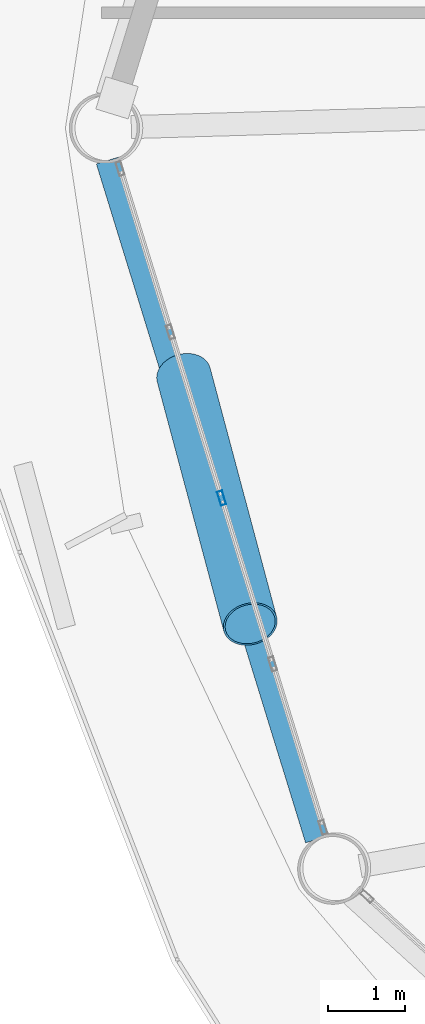
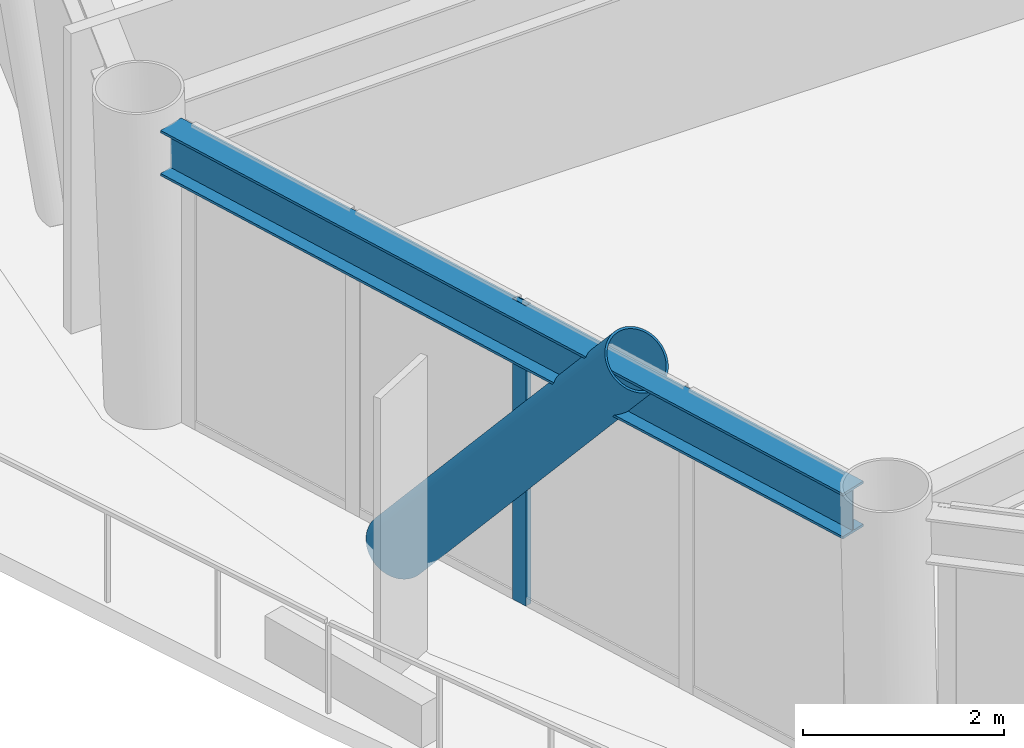
# One storey, part 3 of 25: 2 members, 1 beam, 1 element without a shape of its own.
"""IFC4 building model written with IfcOpenShell, lengths in metres."""

from ifc_helpers import new_model, si_unit, direction, frame, origin, origin_2d, place, context, subcontext, project, spatial, hollow_rectangle, hollow_circle, i_section, extrude, material, layer, layer_set, material_profile, profile_set, type_object, element, aggregate, save


model = new_model("IFC4")

# Units and contexts
model_context = context("Model", 3, precision=1e-05, world=origin(), true_north=direction((0.0, 1.0)))
body_context = subcontext(model_context, "Body", "Model", "MODEL_VIEW")
ifc_project = project(units=[si_unit("LENGTHUNIT", "METRE"), si_unit("AREAUNIT", "SQUARE_METRE"), si_unit("VOLUMEUNIT", "CUBIC_METRE"), si_unit("PLANEANGLEUNIT", "RADIAN"), si_unit("MASSUNIT", "GRAM", prefix="KILO")], contexts=[model_context])

# Site, building, storey
site_placement = place(None, origin())
site = spatial("IfcSite", under=ifc_project, at=site_placement, CompositionType="ELEMENT")
building_placement = place(site_placement, origin())
building = spatial("IfcBuilding", under=site, at=building_placement, Name="Varnakorn Sky Granary", CompositionType="ELEMENT")
storey_placement = place(building_placement, frame((0.0, 0.0, 54.89990234375)))
storey = spatial("IfcBuildingStorey", under=building, at=storey_placement, Name="L13", CompositionType="ELEMENT", Elevation=54.89990234375)

# Beam
ifc_material_1 = material(Name="Steel S355JR", Category="steel")
ifc_material_profile_1 = material_profile(ifc_material_1, i_section(OverallWidth=0.300048828125, OverallDepth=0.550048828125, WebThickness=0.014892578125, FlangeThickness=0.029052734375, at=origin_2d()), Name="HE 550 B")
ifc_profile_set_1 = profile_set([ifc_material_profile_1], Name="Steel S355JR")
beam_type = type_object("IfcBeamType", Name="BM-SPD-Z1", PredefinedType="SPANDREL", material=ifc_profile_set_1)
beam_placement = place(storey_placement, frame((-22.7578125, -0.42236328125, 3.364990234375), z_axis=(0.294496032873, -0.955652701886, 0.0), x_axis=(0.955652701886, 0.294496032873, 0.0)))
element("IfcBeam", 1, at=beam_placement, inside=storey, type_object=beam_type, Name="Perimeter Spandrel Ring Beam RB07 L13", PredefinedType="SPANDREL", context=body_context, shape_type="SweptSolid", body=[
    extrude(i_section(OverallWidth=0.300048828125, OverallDepth=0.550048828125, WebThickness=0.014892578125, FlangeThickness=0.029052734375, at=origin_2d()), origin(), (0.0, 0.0, 1.0), 9.24267578125),
])

# Curtain wall, member
ifc_material_2 = material(Name="Anodised Bronze Aluminium Alloy 6063-T6", Category="aluminium")
ifc_layer = layer(ifc_material_2, 0.18994140625, Name="Anodised Bronze Aluminium Alloy 6063-T6")
ifc_layer_set = layer_set([ifc_layer], Name="Anodised Bronze Aluminium Alloy 6063-T6")
curtain_wall_type = type_object("IfcCurtainWallType", Name="CW-FRM-1", PredefinedType="USERDEFINED", material=ifc_layer_set)
curtain_wall_placement = place(storey_placement, origin())
curtain_wall = element("IfcCurtainWall", 2, at=curtain_wall_placement, inside=storey, type_object=curtain_wall_type, Name="Unitised Curtain Wall CW3 CW-L13-B07", ObjectType="CURTAIN WALL", PredefinedType="USERDEFINED")
ifc_material_profile_2 = material_profile(ifc_material_2, hollow_rectangle(XDim=0.070068359375, YDim=0.18505859375, WallThickness=0.00390625, at=origin_2d()), Name="ALU MULL 70x185")
ifc_profile_set_2 = profile_set([ifc_material_profile_2], Name="Anodised Bronze Aluminium Alloy 6063-T6")
member_type_1 = type_object("IfcMemberType", Name="CW-FRM-1-MULL", PredefinedType="MULLION", material=ifc_profile_set_2)
member_1_placement = place(storey_placement, frame((-21.271728515625, -4.81298828125, 0.0), z_axis=(0.0, 0.0, 1.0), x_axis=(-0.955710084945, -0.294309757797, 0.0)))
member_1 = element("IfcMember", 3, at=member_1_placement, type_object=member_type_1, Name="CW3 mullion 3", PredefinedType="MULLION", context=body_context, shape_type="SweptSolid", body=[
    extrude(hollow_rectangle(XDim=0.070068359375, YDim=0.18505859375, WallThickness=0.00390625, at=origin_2d()), origin(), (0.0, 0.0, 1.0), 3.64013671875),
])
aggregate(curtain_wall, [member_1])

# Member
ifc_material_3 = material(Name="Steel S460M", Category="steel")
ifc_material_profile_3 = material_profile(ifc_material_3, hollow_circle(Radius=0.35546875, WallThickness=0.02490234375, at=origin_2d()), Name="CHS 711x25")
ifc_profile_set_3 = profile_set([ifc_material_profile_3], Name="Steel S460M")
member_type_2 = type_object("IfcMemberType", Name="MB-DIAG-T0", PredefinedType="BRACE", material=ifc_profile_set_3)
member_2_placement = place(storey_placement, frame((-21.765869140625, -3.208740234375, -0.1298828125), z_axis=(0.167848152746, -0.62838980071, 0.759574391343), x_axis=(0.966128623264, 0.258061006952, 0.0)))
element("IfcMember", 4, at=member_2_placement, inside=storey, type_object=member_type_2, Name="Perimeter CHS Diagrid Brace DG07 L13", PredefinedType="BRACE", context=body_context, shape_type="SweptSolid", body=[
    extrude(hollow_circle(Radius=0.35546875, WallThickness=0.02490234375, at=origin_2d()), origin(), (0.0, 0.0, 1.0), 5.16064453125),
])

save(model, "model.ifc")
